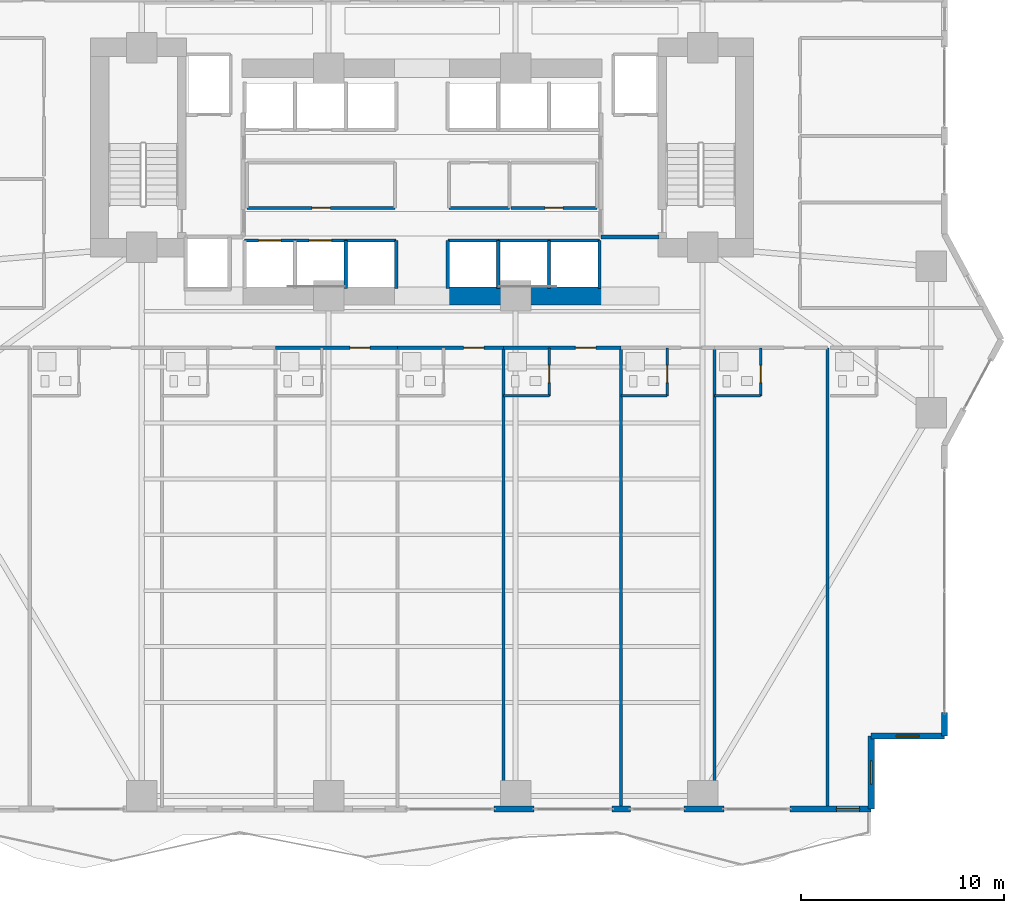
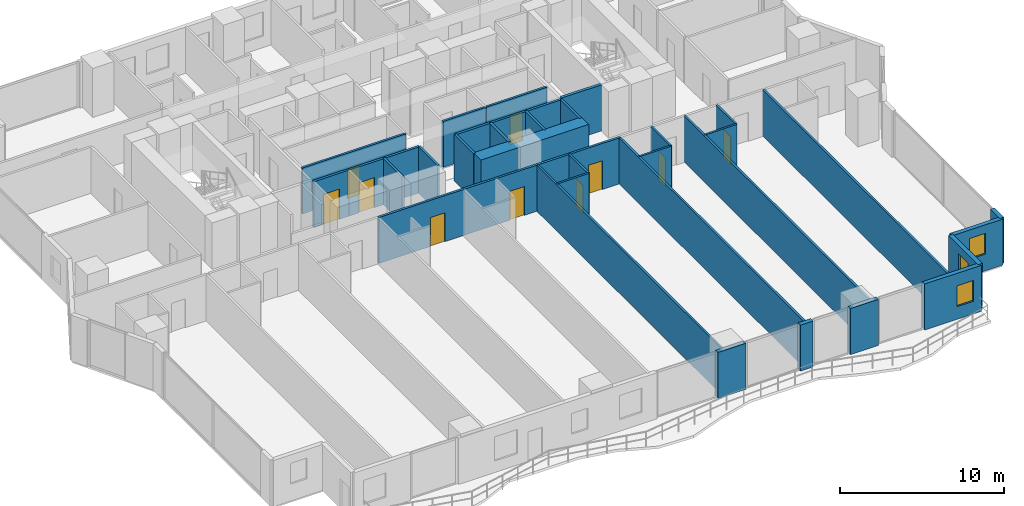
# One storey, part 19 of 28: 37 walls, 10 doors, 3 windows, 13 openings.
"""IFC4 building model written with IfcOpenShell, lengths in metres."""

import ifcopenshell
import ifcopenshell.guid

model = None  # the IFC model being written
_history = None  # IfcOwnerHistory: only IFC2X3 demands one
_inside = {}  # id of a spatial element -> (the spatial element, [elements in it])
_under = {}  # id of a project, library or spatial element -> (it, [spatial elements below it])
_declared = {}  # id of a project -> (the project, [libraries it declares])
_typed = {}  # id of a type object -> (the type object, [elements of that type])
_made_of = {}  # id of a material, layer set ... -> (it, [elements and type objects made of it])


def new_model(schema):
    """Start an empty IFC model of exactly this schema.

    Asked for "IFC4X3", IfcOpenShell would pick the latest addendum, in which some entities
    have other attributes; the version numbers below select the first issue.
    IFC2X3 requires an IfcOwnerHistory on every rooted entity: one is made here for all.
    """
    global model, _history
    if schema == "IFC4X3":
        model = ifcopenshell.file(schema_version=(4, 3, 0, 0))
    else:
        model = ifcopenshell.file(schema=schema)
    _inside.clear()
    _under.clear()
    _declared.clear()
    _typed.clear()
    _made_of.clear()
    _history = None
    if model.schema == "IFC2X3":
        org = make("IfcOrganization", Name="unknown")
        user = make(
            "IfcPersonAndOrganization",
            ThePerson=make("IfcPerson", FamilyName="unknown"),
            TheOrganization=org,
        )
        app = make(
            "IfcApplication",
            ApplicationDeveloper=org,
            Version="unknown",
            ApplicationFullName="unknown",
            ApplicationIdentifier="unknown",
        )
        _history = make(
            "IfcOwnerHistory",
            OwningUser=user,
            OwningApplication=app,
            ChangeAction="ADDED",
            CreationDate=0,
        )
    return model


def make(cls, **values):
    """One entity of the class cls with the attributes given. An attribute that is None is left unset."""
    return model.create_entity(
        cls, **{name: value for name, value in values.items() if value is not None}
    )


def rooted(cls, **values):
    """An entity with a GlobalId (a new one), such as an element, a storey or a relation."""
    return make(cls, GlobalId=ifcopenshell.guid.new(), OwnerHistory=_history, **values)


def si_unit(unit_type, name, prefix=None):
    """IfcSIUnit, for example si_unit("LENGTHUNIT", "METRE", prefix="MILLI")."""
    return make("IfcSIUnit", UnitType=unit_type, Prefix=prefix, Name=name)


def assignment(units):
    """IfcUnitAssignment: the units of a project."""
    return None if units is None else make("IfcUnitAssignment", Units=units)


def point(xyz):
    """IfcCartesianPoint."""
    return None if xyz is None else make("IfcCartesianPoint", Coordinates=xyz)


def direction(xyz):
    """IfcDirection."""
    return None if xyz is None else make("IfcDirection", DirectionRatios=xyz)


def frame(location, z_axis=None, x_axis=None):
    """IfcAxis2Placement3D, a coordinate frame: its origin and axes. An axis left out is left unset."""
    return make(
        "IfcAxis2Placement3D",
        Location=point(location),
        Axis=direction(z_axis),
        RefDirection=direction(x_axis),
    )


def frame_2d(location, x_axis=None):
    """IfcAxis2Placement2D, a coordinate frame in the plane: its origin and x axis."""
    return make(
        "IfcAxis2Placement2D", Location=point(location), RefDirection=direction(x_axis)
    )


def origin():
    """The frame at (0, 0, 0) with its axes left unset."""
    return frame((0.0, 0.0, 0.0))


def place(relative_to, where):
    """IfcLocalPlacement: puts the frame where relative to a parent placement (None: the world)."""
    return make(
        "IfcLocalPlacement", PlacementRelTo=relative_to, RelativePlacement=where
    )


def context(
    kind, dimensions, precision=None, world=None, true_north=None, identifier=None
):
    """IfcGeometricRepresentationContext, for example the 3D "Model" context."""
    return make(
        "IfcGeometricRepresentationContext",
        ContextIdentifier=identifier,
        ContextType=kind,
        CoordinateSpaceDimension=dimensions,
        Precision=precision,
        WorldCoordinateSystem=world,
        TrueNorth=true_north,
    )


def subcontext(parent, identifier, kind, view, scale=None):
    """IfcGeometricRepresentationSubContext, for example "Body" below "Model"."""
    return make(
        "IfcGeometricRepresentationSubContext",
        ContextIdentifier=identifier,
        ContextType=kind,
        ParentContext=parent,
        TargetScale=scale,
        TargetView=view,
    )


def project(units=None, contexts=None):
    """IfcProject with its units and contexts."""
    return rooted(
        "IfcProject",
        Name="project",
        RepresentationContexts=contexts,
        UnitsInContext=assignment(units),
    )


def spatial(cls, under=None, at=None, **own):
    """A site, building, storey or space (cls), placed at a placement, below another one or the project."""
    s = rooted(cls, ObjectPlacement=at, **own)
    if under is not None:
        _under.setdefault(under.id(), (under, []))[1].append(s)
    return s


def profile(cls, at=None, kind="AREA", **sizes):
    """A parametric profile (cls). Its sizes go by their IFC names, for example OverallWidth=200.0."""
    return make(cls, ProfileType=kind, Position=at, **sizes)


def rectangle(**sizes):
    """IfcRectangleProfileDef."""
    return profile("IfcRectangleProfileDef", **sizes)


def extrude(swept, where, along, depth):
    """IfcExtrudedAreaSolid: the profile swept, set in the frame where, extruded along a direction by depth."""
    return make(
        "IfcExtrudedAreaSolid",
        SweptArea=swept,
        Position=where,
        ExtrudedDirection=direction(along),
        Depth=depth,
    )


def shape(context_of_items, identifier, shape_type, items):
    """IfcShapeRepresentation: the items that make up one representation, for example the "Body"."""
    return make(
        "IfcShapeRepresentation",
        ContextOfItems=context_of_items,
        RepresentationIdentifier=identifier,
        RepresentationType=shape_type,
        Items=items,
    )


def material(Name=None, Category=None):
    """IfcMaterial."""
    return make("IfcMaterial", Name=Name, Category=Category)


def layer(
    of_material, thickness, ventilated=None, Name=None, Category=None, Priority=None
):
    """IfcMaterialLayer: one layer of a wall or slab, of a material (None: an air gap)."""
    return make(
        "IfcMaterialLayer",
        Material=of_material,
        LayerThickness=thickness,
        IsVentilated=ventilated,
        Name=Name,
        Category=Category,
        Priority=Priority,
    )


def layer_set(layers, Name=None):
    """IfcMaterialLayerSet."""
    return make("IfcMaterialLayerSet", MaterialLayers=layers, LayerSetName=Name)


def made_of(thing, what):
    """Note that an element or type object is made of a material, layer set ...; save() writes the relation."""
    if what is not None:
        _made_of.setdefault(what.id(), (what, []))[1].append(thing)
    return thing


def type_object(cls, material=None, **own):
    """A type object (cls), such as IfcWallType, which elements share."""
    return made_of(rooted(cls, **own), material)


def element(
    cls,
    number,
    at=None,
    inside=None,
    cuts=None,
    type_object=None,
    material=None,
    context=None,
    identifier="Body",
    shape_type=None,
    held_by="IfcProductDefinitionShape",
    body=None,
    shapes=None,
    **own,
):
    """One element of the class cls, such as IfcWall. Its Tag is "e" and its number.

    at: its placement. inside: the storey or other place that contains it. cuts: it is an
    opening in that element (IfcRelVoidsElement). A single representation is given by context,
    identifier, shape_type and body (its items); several are given by shapes. held_by: the class
    of the entity that holds the representations. save() writes the other relations.
    """
    e = rooted(cls, Tag="e%d" % number, ObjectPlacement=at, **own)
    if body is not None:
        shapes = [shape(context, identifier, shape_type, body)]
    if shapes is not None:
        e.Representation = make(held_by, Representations=shapes)
    if inside is not None:
        _inside.setdefault(inside.id(), (inside, []))[1].append(e)
    if cuts is not None:
        rooted(
            "IfcRelVoidsElement", RelatingBuildingElement=cuts, RelatedOpeningElement=e
        )
    if type_object is not None:
        _typed.setdefault(type_object.id(), (type_object, []))[1].append(e)
    return made_of(e, material)


def fill(opening, filler):
    """IfcRelFillsElement: the door or window that sits in an opening."""
    return rooted(
        "IfcRelFillsElement",
        RelatingOpeningElement=opening,
        RelatedBuildingElement=filler,
    )


def aggregate(whole, parts):
    """IfcRelAggregates: a whole, such as a stair, and the parts it consists of."""
    return rooted("IfcRelAggregates", RelatingObject=whole, RelatedObjects=parts)


def save(model, path):
    """Write the relations noted so far, then the file.

    IfcRelAggregates (storeys below a building ...), IfcRelContainedInSpatialStructure (elements
    in a storey), IfcRelDefinesByType, IfcRelAssociatesMaterial and IfcRelDeclares: one each for
    every whole, place, type object, material and project.
    """
    for whole, parts in _under.values():
        aggregate(whole, parts)
    for where, things in _inside.values():
        rooted(
            "IfcRelContainedInSpatialStructure",
            RelatedElements=things,
            RelatingStructure=where,
        )
    for kind, things in _typed.values():
        rooted("IfcRelDefinesByType", RelatedObjects=things, RelatingType=kind)
    for what, things in _made_of.values():
        rooted("IfcRelAssociatesMaterial", RelatedObjects=things, RelatingMaterial=what)
    for by, libraries in _declared.values():
        rooted("IfcRelDeclares", RelatingContext=by, RelatedDefinitions=libraries)
    model.write(path)


model = new_model("IFC4")

# Units and contexts
model_context = context("Model", 3, precision=1e-05, world=origin(), true_north=direction((0.0, 1.0)))
body_context = subcontext(model_context, "Body", "Model", "MODEL_VIEW")
ifc_project = project(units=[si_unit("LENGTHUNIT", "METRE"), si_unit("AREAUNIT", "SQUARE_METRE"), si_unit("VOLUMEUNIT", "CUBIC_METRE"), si_unit("PLANEANGLEUNIT", "RADIAN"), si_unit("MASSUNIT", "GRAM", prefix="KILO")], contexts=[model_context])

# Site, building, storey
site_placement = place(None, origin())
site = spatial("IfcSite", under=ifc_project, at=site_placement, CompositionType="ELEMENT")
building_placement = place(site_placement, origin())
building = spatial("IfcBuilding", under=site, at=building_placement, Name="Zuhayl Quay Hotel", CompositionType="ELEMENT")
storey_placement = place(building_placement, frame((0.0, 0.0, 31.25)))
storey = spatial("IfcBuildingStorey", under=building, at=storey_placement, Name="L06", CompositionType="ELEMENT", Elevation=31.25)

# Walls
ifc_material_1 = material(Name="Concrete C70/85", Category="concrete")
ifc_layer_1 = layer(ifc_material_1, 0.89990234375, Name="Concrete C70/85", Category="concrete")
ifc_layer_set_1 = layer_set([ifc_layer_1], Name="Concrete C70/85")
wall_type_1 = type_object("IfcWallType", Name="WL_CORE_900", PredefinedType="SHEAR", material=ifc_layer_set_1)
wall_1_placement = place(storey_placement, frame((1.25, 2.14990234375, 0.0), z_axis=(0.0, 0.0, 1.0), x_axis=(1.0, 0.0, 0.0)))
element("IfcWall", 1, at=wall_1_placement, inside=storey, type_object=wall_type_1, Name="L06 Core Shear Wall CW_SC_E", PredefinedType="SHEAR", context=body_context, shape_type="SweptSolid", body=[
    extrude(rectangle(XDim=7.60009765625, YDim=0.89990234375, at=frame_2d((3.800048828125, 0.0))), origin(), (0.0, 0.0, 1.0), 3.429931640625),
])
ifc_material_2 = material(Name="Precast concrete C45/55", Category="concrete")
ifc_layer_2 = layer(ifc_material_2, 0.300048828125, Name="Precast concrete C45/55", Category="concrete")
ifc_layer_set_2 = layer_set([ifc_layer_2], Name="Precast concrete C45/55")
wall_type_2 = type_object("IfcWallType", Name="WL_EXT_300", PredefinedType="STANDARD", material=ifc_layer_set_2)
wall_2_placement = place(storey_placement, frame((25.699951171875, -18.35009765625, 0.0), z_axis=(0.0, 0.0, 1.0), x_axis=(0.0, -1.0, 0.0)))
element("IfcWall", 2, at=wall_2_placement, inside=storey, type_object=wall_type_2, Name="L06 Exterior Precast Wall ENV_L06_E14_EW2", PredefinedType="STANDARD", context=body_context, shape_type="SweptSolid", body=[
    extrude(rectangle(XDim=1.14990234375, YDim=0.300048828125, at=frame_2d((0.574951171875, 0.0))), origin(), (0.0, 0.0, 1.0), 3.429931640625),
])

# Wall, opening, window
wall_3_placement = place(storey_placement, frame((25.699951171875, -19.5, 0.0), z_axis=(0.0, 0.0, 1.0), x_axis=(-1.0, 0.0, 0.0)))
wall_3 = element("IfcWall", 3, at=wall_3_placement, inside=storey, type_object=wall_type_2, Name="L06 Exterior Precast Wall ENV_L06_EW15", PredefinedType="STANDARD", context=body_context, shape_type="SweptSolid", body=[
    extrude(rectangle(XDim=3.599853515625, YDim=0.300048828125, at=frame_2d((1.7998046875, 0.0))), origin(), (0.0, 0.0, 1.0), 3.429931640625),
])
opening_1_placement = place(wall_3_placement, frame((1.22509765625, 0.0, 1.25)))
opening_1 = element("IfcOpeningElement", 4, at=opening_1_placement, cuts=wall_3, Name="Opening W01N", PredefinedType="OPENING", context=body_context, shape_type="SweptSolid", body=[
    extrude(rectangle(XDim=1.14990234375, YDim=1.550048828125, at=frame_2d((0.574951171875, 0.77490234375))), frame((0.0, 0.159912109375, 0.0), z_axis=(0.0, -1.0, 0.0), x_axis=(1.0, 0.0, 0.0)), (0.0, 0.0, 1.0), 0.320068359375),
])
ifc_material_3 = material(Name="Dark Ceramic-Fritted Solar Glass", Category="glass")
window_type = type_object("IfcWindowType", Name="WN_NOTCH_1350", PartitioningType="SINGLE_PANEL", PredefinedType="WINDOW", material=ifc_material_3)
window_1_placement = place(opening_1_placement, origin())
window_1 = element("IfcWindow", 5, at=window_1_placement, inside=storey, type_object=window_type, Name="L06 Corner Notch Window 15", OverallHeight=1.550048828125, OverallWidth=1.14990234375, PartitioningType="SINGLE_PANEL", PredefinedType="WINDOW", context=body_context, shape_type="SweptSolid", body=[
    extrude(rectangle(XDim=1.14990234375, YDim=1.550048828125, at=frame_2d((0.574951171875, 0.77490234375))), frame((0.0, 0.030029296875, 0.0), z_axis=(0.0, -1.0, 0.0), x_axis=(1.0, 0.0, 0.0)), (0.0, 0.0, 1.0), 0.06005859375),
])
fill(opening_1, window_1)

wall_4_placement = place(storey_placement, frame((22.10009765625, -19.5, 0.0), z_axis=(0.0, 0.0, 1.0), x_axis=(0.0, -1.0, 0.0)))
wall_4 = element("IfcWall", 6, at=wall_4_placement, inside=storey, type_object=wall_type_2, Name="L06 Exterior Precast Wall ENV_L06_EW16", PredefinedType="STANDARD", context=body_context, shape_type="SweptSolid", body=[
    extrude(rectangle(XDim=3.60009765625, YDim=0.300048828125, at=frame_2d((1.800048828125, 0.0))), origin(), (0.0, 0.0, 1.0), 3.429931640625),
])
opening_2_placement = place(wall_4_placement, frame((1.22509765625, 0.0, 1.25)))
opening_2 = element("IfcOpeningElement", 7, at=opening_2_placement, cuts=wall_4, Name="Opening W01N", PredefinedType="OPENING", context=body_context, shape_type="SweptSolid", body=[
    extrude(rectangle(XDim=1.14990234375, YDim=1.550048828125, at=frame_2d((0.574951171875, 0.77490234375))), frame((0.0, 0.159912109375, 0.0), z_axis=(0.0, -1.0, 0.0), x_axis=(1.0, 0.0, 0.0)), (0.0, 0.0, 1.0), 0.320068359375),
])
window_2_placement = place(opening_2_placement, origin())
window_2 = element("IfcWindow", 8, at=window_2_placement, inside=storey, type_object=window_type, Name="L06 Corner Notch Window 16", OverallHeight=1.550048828125, OverallWidth=1.14990234375, PartitioningType="SINGLE_PANEL", PredefinedType="WINDOW", context=body_context, shape_type="SweptSolid", body=[
    extrude(rectangle(XDim=1.14990234375, YDim=1.550048828125, at=frame_2d((0.574951171875, 0.77490234375))), frame((0.0, 0.030029296875, 0.0), z_axis=(0.0, -1.0, 0.0), x_axis=(1.0, 0.0, 0.0)), (0.0, 0.0, 1.0), 0.06005859375),
])
fill(opening_2, window_2)

wall_5_placement = place(storey_placement, frame((22.10009765625, -23.10009765625, 0.0), z_axis=(0.0, 0.0, 1.0), x_axis=(-1.0, 0.0, 0.0)))
wall_5 = element("IfcWall", 9, at=wall_5_placement, inside=storey, type_object=wall_type_2, Name="L06 Exterior Precast Wall ENV_L06_S_EW1", PredefinedType="STANDARD", context=body_context, shape_type="SweptSolid", body=[
    extrude(rectangle(XDim=4.0, YDim=0.300048828125, at=frame_2d((2.0, 0.0))), origin(), (0.0, 0.0, 1.0), 3.429931640625),
])
opening_3_placement = place(wall_5_placement, frame((0.56494140625, 0.0, 0.949951171875)))
opening_3 = element("IfcOpeningElement", 10, at=opening_3_placement, cuts=wall_5, Name="Opening W01N", PredefinedType="OPENING", context=body_context, shape_type="SweptSolid", body=[
    extrude(rectangle(XDim=1.14990234375, YDim=1.550048828125, at=frame_2d((0.574951171875, 0.77490234375))), frame((0.0, 0.159912109375, 0.0), z_axis=(0.0, -1.0, 0.0), x_axis=(1.0, 0.0, 0.0)), (0.0, 0.0, 1.0), 0.320068359375),
])
window_3_placement = place(opening_3_placement, origin())
window_3 = element("IfcWindow", 11, at=window_3_placement, inside=storey, type_object=window_type, Name="L06 Operable Facade Window 1-1", OverallHeight=1.550048828125, OverallWidth=1.14990234375, PartitioningType="SINGLE_PANEL", PredefinedType="WINDOW", context=body_context, shape_type="SweptSolid", body=[
    extrude(rectangle(XDim=1.14990234375, YDim=1.550048828125, at=frame_2d((0.574951171875, 0.77490234375))), frame((0.0, 0.030029296875, 0.0), z_axis=(0.0, -1.0, 0.0), x_axis=(1.0, 0.0, 0.0)), (0.0, 0.0, 1.0), 0.06005859375),
])
fill(opening_3, window_3)

# Walls
wall_6_placement = place(storey_placement, frame((14.85009765625, -23.10009765625, 0.0), z_axis=(0.0, 0.0, 1.0), x_axis=(-1.0, 0.0, 0.0)))
element("IfcWall", 12, at=wall_6_placement, inside=storey, type_object=wall_type_2, Name="L06 Exterior Precast Wall ENV_L06_S_EW2", PredefinedType="STANDARD", context=body_context, shape_type="SweptSolid", body=[
    extrude(rectangle(XDim=1.97021484375, YDim=0.300048828125, at=frame_2d((0.985107421875, 0.0))), origin(), (0.0, 0.0, 1.0), 3.429931640625),
])
wall_7_placement = place(storey_placement, frame((10.25, -23.10009765625, 0.0), z_axis=(0.0, 0.0, 1.0), x_axis=(-1.0, 0.0, 0.0)))
element("IfcWall", 13, at=wall_7_placement, inside=storey, type_object=wall_type_2, Name="L06 Exterior Precast Wall ENV_L06_S_EW3", PredefinedType="STANDARD", context=body_context, shape_type="SweptSolid", body=[
    extrude(rectangle(XDim=0.89990234375, YDim=0.300048828125, at=frame_2d((0.449951171875, 0.0))), origin(), (0.0, 0.0, 1.0), 3.429931640625),
])
wall_8_placement = place(storey_placement, frame((5.52001953125, -23.10009765625, 0.0), z_axis=(0.0, 0.0, 1.0), x_axis=(-1.0, 0.0, 0.0)))
element("IfcWall", 14, at=wall_8_placement, inside=storey, type_object=wall_type_2, Name="L06 Exterior Precast Wall ENV_L06_S_EW4", PredefinedType="STANDARD", context=body_context, shape_type="SweptSolid", body=[
    extrude(rectangle(XDim=1.969970703125, YDim=0.300048828125, at=frame_2d((0.98486328125, 0.0))), origin(), (0.0, 0.0, 1.0), 3.429931640625),
])

# Wall, opening, door
ifc_material_4 = material(Name="Acoustic Gypsum Partition STC-58")
ifc_layer_3 = layer(ifc_material_4, 0.14990234375, Name="Acoustic Gypsum Partition STC-58")
ifc_layer_set_3 = layer_set([ifc_layer_3], Name="Acoustic Gypsum Partition STC-58")
wall_type_3 = type_object("IfcWallType", Name="WL_PART_150", PredefinedType="PARTITIONING", material=ifc_layer_set_3)
wall_9_placement = place(storey_placement, frame((-8.610107421875, 6.47998046875, 0.0), z_axis=(0.0, 0.0, 1.0), x_axis=(1.0, 0.0, 0.0)))
wall_9 = element("IfcWall", 15, at=wall_9_placement, inside=storey, type_object=wall_type_3, Name="L06 Partition IW_L06_CORE_EL_S", PredefinedType="PARTITIONING", context=body_context, shape_type="SweptSolid", body=[
    extrude(rectangle(XDim=7.2900390625, YDim=0.14990234375, at=frame_2d((3.64501953125, 0.0))), origin(), (0.0, 0.0, 1.0), 3.429931640625),
])
opening_4_placement = place(wall_9_placement, frame((3.195068359375, 0.0, 0.0)))
opening_4 = element("IfcOpeningElement", 16, at=opening_4_placement, cuts=wall_9, Name="Opening D06", PredefinedType="OPENING", context=body_context, shape_type="SweptSolid", body=[
    extrude(rectangle(XDim=0.89990234375, YDim=2.14990234375, at=frame_2d((0.449951171875, 1.074951171875))), frame((0.0, 0.0849609375, 0.0), z_axis=(0.0, -1.0, 0.0), x_axis=(1.0, 0.0, 0.0)), (0.0, 0.0, 1.0), 0.169921875),
])
ifc_material_5 = material(Name="Steel ASTM A992 Grade 50", Category="steel")
door_type_1 = type_object("IfcDoorType", Name="DR_INT_900", OperationType="NOTDEFINED", PredefinedType="DOOR", material=ifc_material_5)
door_1_placement = place(opening_4_placement, origin())
door_1 = element("IfcDoor", 17, at=door_1_placement, inside=storey, type_object=door_type_1, Name="L06 Floor Electrical Plant Room Door", OperationType="SINGLE_SWING_RIGHT", OverallHeight=2.14990234375, OverallWidth=0.89990234375, PredefinedType="DOOR", context=body_context, shape_type="SweptSolid", body=[
    extrude(rectangle(XDim=0.89990234375, YDim=2.14990234375, at=frame_2d((0.449951171875, 1.074951171875))), frame((0.0, 0.02490234375, 0.0), z_axis=(0.0, -1.0, 0.0), x_axis=(1.0, 0.0, 0.0)), (0.0, 0.0, 1.0), 0.050048828125),
])
fill(opening_4, door_1)

wall_10_placement = place(storey_placement, frame((4.3701171875, 6.47998046875, 0.0), z_axis=(0.0, 0.0, 1.0), x_axis=(1.0, 0.0, 0.0)))
wall_10 = element("IfcWall", 18, at=wall_10_placement, inside=storey, type_object=wall_type_3, Name="L06 Partition IW_L06_CORE_LN_S", PredefinedType="PARTITIONING", context=body_context, shape_type="SweptSolid", body=[
    extrude(rectangle(XDim=4.239990234375, YDim=0.14990234375, at=frame_2d((2.1201171875, 0.0))), origin(), (0.0, 0.0, 1.0), 3.429931640625),
])
opening_5_placement = place(wall_10_placement, frame((1.669921875, 0.0, 0.0)))
opening_5 = element("IfcOpeningElement", 19, at=opening_5_placement, cuts=wall_10, Name="Opening D06", PredefinedType="OPENING", context=body_context, shape_type="SweptSolid", body=[
    extrude(rectangle(XDim=0.89990234375, YDim=2.14990234375, at=frame_2d((0.449951171875, 1.074951171875))), frame((0.0, 0.0849609375, 0.0), z_axis=(0.0, -1.0, 0.0), x_axis=(1.0, 0.0, 0.0)), (0.0, 0.0, 1.0), 0.169921875),
])
door_2_placement = place(opening_5_placement, origin())
door_2 = element("IfcDoor", 20, at=door_2_placement, inside=storey, type_object=door_type_1, Name="L06 Core Linen Store Door", OperationType="SINGLE_SWING_RIGHT", OverallHeight=2.14990234375, OverallWidth=0.89990234375, PredefinedType="DOOR", context=body_context, shape_type="SweptSolid", body=[
    extrude(rectangle(XDim=0.89990234375, YDim=2.14990234375, at=frame_2d((0.449951171875, 1.074951171875))), frame((0.0, 0.02490234375, 0.0), z_axis=(0.0, -1.0, 0.0), x_axis=(1.0, 0.0, 0.0)), (0.0, 0.0, 1.0), 0.050048828125),
])
fill(opening_5, door_2)

# Walls
wall_11_placement = place(storey_placement, frame((1.320068359375, 6.47998046875, 0.0), z_axis=(0.0, 0.0, 1.0), x_axis=(1.0, 0.0, 0.0)))
element("IfcWall", 21, at=wall_11_placement, inside=storey, type_object=wall_type_3, Name="L06 Partition IW_L06_CORE_IT_S", PredefinedType="PARTITIONING", context=body_context, shape_type="SweptSolid", body=[
    extrude(rectangle(XDim=2.989990234375, YDim=0.14990234375, at=frame_2d((1.4951171875, 0.0))), origin(), (0.0, 0.0, 1.0), 3.429931640625),
])
for number, where, z_axis, x_axis, name in (
    (22, (4.0, -23.02001953125, 0.0), (0.0, 0.0, 1.0), (0.0, 1.0, 0.0), "L06 Partition IW_L06_SU04_E"),
    (23, (9.800048828125, -23.02001953125, 0.0), (0.0, 0.0, 1.0), (0.0, 1.0, 0.0), "L06 Partition IW_L06_SU05_E"),
    (24, (14.39990234375, -23.02001953125, 0.0), (0.0, 0.0, 1.0), (0.0, 1.0, 0.0), "L06 Partition IW_L06_SU06_E"),
    (25, (19.93994140625, -23.02001953125, 0.0), (0.0, 0.0, 1.0), (0.0, 1.0, 0.0), "L06 Partition IW_L06_SU07A_E"),
):
    element("IfcWall", number, at=place(storey_placement, frame(where, z_axis=z_axis, x_axis=x_axis)), inside=storey, type_object=wall_type_3, Name=name, PredefinedType="PARTITIONING", context=body_context, shape_type="SweptSolid", body=[
        extrude(rectangle(XDim=22.6201171875, YDim=0.14990234375, at=frame_2d((11.31005859375, 0.0))), origin(), (0.0, 0.0, 1.0), 3.429931640625),
    ])

# Wall, opening, door
ifc_layer_4 = layer(ifc_material_4, 0.159912109375, Name="Acoustic Gypsum Partition STC-58")
ifc_layer_set_4 = layer_set([ifc_layer_4], Name="Acoustic Gypsum Partition STC-58")
wall_type_4 = type_object("IfcWallType", Name="WL_PART_CORR_160", PredefinedType="PARTITIONING", material=ifc_layer_set_4)
wall_12_placement = place(storey_placement, frame((-7.199951171875, -0.39990234375, 0.0), z_axis=(0.0, 0.0, 1.0), x_axis=(1.0, 0.0, 0.0)))
wall_12 = element("IfcWall", 26, at=wall_12_placement, inside=storey, type_object=wall_type_4, Name="L06 Partition IW_L06_SU03_COR", PredefinedType="PARTITIONING", context=body_context, shape_type="SweptSolid", body=[
    extrude(rectangle(XDim=6.0, YDim=0.159912109375, at=frame_2d((3.0, 0.0))), origin(), (0.0, 0.0, 1.0), 3.429931640625),
])
opening_6_placement = place(wall_12_placement, frame((3.64990234375, 0.0, 0.0)))
opening_6 = element("IfcOpeningElement", 27, at=opening_6_placement, cuts=wall_12, Name="Opening D03L", PredefinedType="OPENING", context=body_context, shape_type="SweptSolid", body=[
    extrude(rectangle(XDim=1.0, YDim=2.14990234375, at=frame_2d((0.5, 1.074951171875))), frame((0.0, 0.08984375, 0.0), z_axis=(0.0, -1.0, 0.0), x_axis=(1.0, 0.0, 0.0)), (0.0, 0.0, 1.0), 0.179931640625),
])
ifc_material_6 = material(Name="Solid Walnut Acoustic Fire Door")
door_type_2 = type_object("IfcDoorType", Name="DR_SUITE_1000", OperationType="NOTDEFINED", PredefinedType="DOOR", material=ifc_material_6)
door_3_placement = place(opening_6_placement, origin())
door_3 = element("IfcDoor", 28, at=door_3_placement, inside=storey, type_object=door_type_2, Name="L06 Premier Twin Junior Suite L06-03 Entrance Door", OperationType="SINGLE_SWING_LEFT", OverallHeight=2.14990234375, OverallWidth=1.0, PredefinedType="DOOR", context=body_context, shape_type="SweptSolid", body=[
    extrude(rectangle(XDim=1.0, YDim=2.14990234375, at=frame_2d((0.5, 1.074951171875))), frame((0.0, 0.02490234375, 0.0), z_axis=(0.0, -1.0, 0.0), x_axis=(1.0, 0.0, 0.0)), (0.0, 0.0, 1.0), 0.050048828125),
])
fill(opening_6, door_3)

wall_13_placement = place(storey_placement, frame((-1.199951171875, -0.39990234375, 0.0), z_axis=(0.0, 0.0, 1.0), x_axis=(1.0, 0.0, 0.0)))
wall_13 = element("IfcWall", 29, at=wall_13_placement, inside=storey, type_object=wall_type_4, Name="L06 Partition IW_L06_SU04_COR", PredefinedType="PARTITIONING", context=body_context, shape_type="SweptSolid", body=[
    extrude(rectangle(XDim=5.199951171875, YDim=0.159912109375, at=frame_2d((2.60009765625, 0.0))), origin(), (0.0, 0.0, 1.0), 3.429931640625),
])
opening_7_placement = place(wall_13_placement, frame((3.25, 0.0, 0.0)))
opening_7 = element("IfcOpeningElement", 30, at=opening_7_placement, cuts=wall_13, Name="Opening D03L", PredefinedType="OPENING", context=body_context, shape_type="SweptSolid", body=[
    extrude(rectangle(XDim=1.0, YDim=2.14990234375, at=frame_2d((0.5, 1.074951171875))), frame((0.0, 0.08984375, 0.0), z_axis=(0.0, -1.0, 0.0), x_axis=(1.0, 0.0, 0.0)), (0.0, 0.0, 1.0), 0.179931640625),
])
door_4_placement = place(opening_7_placement, origin())
door_4 = element("IfcDoor", 31, at=door_4_placement, inside=storey, type_object=door_type_2, Name="L06 Premier Twin Junior Suite L06-04 Entrance Door", OperationType="SINGLE_SWING_LEFT", OverallHeight=2.14990234375, OverallWidth=1.0, PredefinedType="DOOR", context=body_context, shape_type="SweptSolid", body=[
    extrude(rectangle(XDim=1.0, YDim=2.14990234375, at=frame_2d((0.5, 1.074951171875))), frame((0.0, 0.02490234375, 0.0), z_axis=(0.0, -1.0, 0.0), x_axis=(1.0, 0.0, 0.0)), (0.0, 0.0, 1.0), 0.050048828125),
])
fill(opening_7, door_4)

wall_14_placement = place(storey_placement, frame((4.0, -0.39990234375, 0.0), z_axis=(0.0, 0.0, 1.0), x_axis=(1.0, 0.0, 0.0)))
wall_14 = element("IfcWall", 32, at=wall_14_placement, inside=storey, type_object=wall_type_4, Name="L06 Partition IW_L06_SU05_COR", PredefinedType="PARTITIONING", context=body_context, shape_type="SweptSolid", body=[
    extrude(rectangle(XDim=5.800048828125, YDim=0.159912109375, at=frame_2d((2.89990234375, 0.0))), origin(), (0.0, 0.0, 1.0), 3.429931640625),
])
opening_8_placement = place(wall_14_placement, frame((3.550048828125, 0.0, 0.0)))
opening_8 = element("IfcOpeningElement", 33, at=opening_8_placement, cuts=wall_14, Name="Opening D03L", PredefinedType="OPENING", context=body_context, shape_type="SweptSolid", body=[
    extrude(rectangle(XDim=1.0, YDim=2.14990234375, at=frame_2d((0.5, 1.074951171875))), frame((0.0, 0.08984375, 0.0), z_axis=(0.0, -1.0, 0.0), x_axis=(1.0, 0.0, 0.0)), (0.0, 0.0, 1.0), 0.179931640625),
])
door_5_placement = place(opening_8_placement, origin())
door_5 = element("IfcDoor", 34, at=door_5_placement, inside=storey, type_object=door_type_2, Name="L06 Premier Twin Junior Suite L06-05 Entrance Door", OperationType="SINGLE_SWING_LEFT", OverallHeight=2.14990234375, OverallWidth=1.0, PredefinedType="DOOR", context=body_context, shape_type="SweptSolid", body=[
    extrude(rectangle(XDim=1.0, YDim=2.14990234375, at=frame_2d((0.5, 1.074951171875))), frame((0.0, 0.02490234375, 0.0), z_axis=(0.0, -1.0, 0.0), x_axis=(1.0, 0.0, 0.0)), (0.0, 0.0, 1.0), 0.050048828125),
])
fill(opening_8, door_5)

ifc_material_7 = material(Name="Moisture-Resistant Sanitarychase Gypsum")
ifc_layer_5 = layer(ifc_material_7, 0.135009765625, Name="Moisture-Resistant Sanitarychase Gypsum")
ifc_layer_set_5 = layer_set([ifc_layer_5], Name="Moisture-Resistant Sanitarychase Gypsum")
wall_type_5 = type_object("IfcWallType", Name="WL_PART_PLUMB_150", PredefinedType="PLUMBINGWALL", material=ifc_layer_set_5)
wall_15_placement = place(storey_placement, frame((6.260009765625, -2.760009765625, 0.0), z_axis=(0.0, 0.0, 1.0), x_axis=(0.0, 1.0, 0.0)))
wall_15 = element("IfcWall", 35, at=wall_15_placement, inside=storey, type_object=wall_type_5, Name="L06 Partition IW_L06_SU05_BE", PredefinedType="PLUMBINGWALL", context=body_context, shape_type="SweptSolid", body=[
    extrude(rectangle(XDim=2.360107421875, YDim=0.135009765625, at=frame_2d((1.18017578125, 0.0))), origin(), (0.0, 0.0, 1.0), 3.429931640625),
])
opening_9_placement = place(wall_15_placement, frame((0.64990234375, 0.0, 0.0)))
opening_9 = element("IfcOpeningElement", 36, at=opening_9_placement, cuts=wall_15, Name="Opening D04", PredefinedType="OPENING", context=body_context, shape_type="SweptSolid", body=[
    extrude(rectangle(XDim=0.85009765625, YDim=2.10009765625, at=frame_2d((0.425048828125, 1.050048828125))), frame((0.0, 0.077392578125, 0.0), z_axis=(0.0, -1.0, 0.0), x_axis=(1.0, 0.0, 0.0)), (0.0, 0.0, 1.0), 0.155029296875),
])
ifc_material_8 = material(Name="Moisture-Resistant Walnut Veneer")
door_type_3 = type_object("IfcDoorType", Name="DR_BATH_850", OperationType="NOTDEFINED", PredefinedType="DOOR", material=ifc_material_8)
door_6_placement = place(opening_9_placement, origin())
door_6 = element("IfcDoor", 37, at=door_6_placement, inside=storey, type_object=door_type_3, Name="L06 Premier Twin Junior Suite L06-05 En-Suite Door", OperationType="SINGLE_SWING_RIGHT", OverallHeight=2.10009765625, OverallWidth=0.85009765625, PredefinedType="DOOR", context=body_context, shape_type="SweptSolid", body=[
    extrude(rectangle(XDim=0.85009765625, YDim=2.10009765625, at=frame_2d((0.425048828125, 1.050048828125))), frame((0.0, 0.02490234375, 0.0), z_axis=(0.0, -1.0, 0.0), x_axis=(1.0, 0.0, 0.0)), (0.0, 0.0, 1.0), 0.050048828125),
])
fill(opening_9, door_6)

wall_16_placement = place(storey_placement, frame((12.06005859375, -2.760009765625, 0.0), z_axis=(0.0, 0.0, 1.0), x_axis=(0.0, 1.0, 0.0)))
wall_16 = element("IfcWall", 38, at=wall_16_placement, inside=storey, type_object=wall_type_5, Name="L06 Partition IW_L06_SU06_BE", PredefinedType="PLUMBINGWALL", context=body_context, shape_type="SweptSolid", body=[
    extrude(rectangle(XDim=2.360107421875, YDim=0.135009765625, at=frame_2d((1.18017578125, 0.0))), origin(), (0.0, 0.0, 1.0), 3.429931640625),
])
opening_10_placement = place(wall_16_placement, frame((0.64990234375, 0.0, 0.0)))
opening_10 = element("IfcOpeningElement", 39, at=opening_10_placement, cuts=wall_16, Name="Opening D04", PredefinedType="OPENING", context=body_context, shape_type="SweptSolid", body=[
    extrude(rectangle(XDim=0.85009765625, YDim=2.10009765625, at=frame_2d((0.425048828125, 1.050048828125))), frame((0.0, 0.077392578125, 0.0), z_axis=(0.0, -1.0, 0.0), x_axis=(1.0, 0.0, 0.0)), (0.0, 0.0, 1.0), 0.155029296875),
])
door_7_placement = place(opening_10_placement, origin())
door_7 = element("IfcDoor", 40, at=door_7_placement, inside=storey, type_object=door_type_3, Name="L06 Premier Twin Junior Suite L06-06 En-Suite Door", OperationType="SINGLE_SWING_RIGHT", OverallHeight=2.10009765625, OverallWidth=0.85009765625, PredefinedType="DOOR", context=body_context, shape_type="SweptSolid", body=[
    extrude(rectangle(XDim=0.85009765625, YDim=2.10009765625, at=frame_2d((0.425048828125, 1.050048828125))), frame((0.0, 0.02490234375, 0.0), z_axis=(0.0, -1.0, 0.0), x_axis=(1.0, 0.0, 0.0)), (0.0, 0.0, 1.0), 0.050048828125),
])
fill(opening_10, door_7)

wall_17_placement = place(storey_placement, frame((16.659912109375, -2.760009765625, 0.0), z_axis=(0.0, 0.0, 1.0), x_axis=(0.0, 1.0, 0.0)))
wall_17 = element("IfcWall", 41, at=wall_17_placement, inside=storey, type_object=wall_type_5, Name="L06 Partition IW_L06_SU07A_BE", PredefinedType="PLUMBINGWALL", context=body_context, shape_type="SweptSolid", body=[
    extrude(rectangle(XDim=2.360107421875, YDim=0.135009765625, at=frame_2d((1.18017578125, 0.0))), origin(), (0.0, 0.0, 1.0), 3.429931640625),
])
opening_11_placement = place(wall_17_placement, frame((0.64990234375, 0.0, 0.0)))
opening_11 = element("IfcOpeningElement", 42, at=opening_11_placement, cuts=wall_17, Name="Opening D04", PredefinedType="OPENING", context=body_context, shape_type="SweptSolid", body=[
    extrude(rectangle(XDim=0.85009765625, YDim=2.10009765625, at=frame_2d((0.425048828125, 1.050048828125))), frame((0.0, 0.077392578125, 0.0), z_axis=(0.0, -1.0, 0.0), x_axis=(1.0, 0.0, 0.0)), (0.0, 0.0, 1.0), 0.155029296875),
])
door_8_placement = place(opening_11_placement, origin())
door_8 = element("IfcDoor", 43, at=door_8_placement, inside=storey, type_object=door_type_3, Name="L06 Premier Twin Junior Suite L06-07A En-Suite Door", OperationType="SINGLE_SWING_RIGHT", OverallHeight=2.10009765625, OverallWidth=0.85009765625, PredefinedType="DOOR", context=body_context, shape_type="SweptSolid", body=[
    extrude(rectangle(XDim=0.85009765625, YDim=2.10009765625, at=frame_2d((0.425048828125, 1.050048828125))), frame((0.0, 0.02490234375, 0.0), z_axis=(0.0, -1.0, 0.0), x_axis=(1.0, 0.0, 0.0)), (0.0, 0.0, 1.0), 0.050048828125),
])
fill(opening_11, door_8)

# Walls
for number, where, z_axis, x_axis, name in (
    (44, (4.0, -2.760009765625, 0.0), (0.0, 0.0, 1.0), (1.0, 0.0, 0.0), "L06 Partition IW_L06_SU05_BS"),
    (45, (9.800048828125, -2.760009765625, 0.0), (0.0, 0.0, 1.0), (1.0, 0.0, 0.0), "L06 Partition IW_L06_SU06_BS"),
    (46, (14.39990234375, -2.760009765625, 0.0), (0.0, 0.0, 1.0), (1.0, 0.0, 0.0), "L06 Partition IW_L06_SU07A_BS"),
):
    element("IfcWall", number, at=place(storey_placement, frame(where, z_axis=z_axis, x_axis=x_axis)), inside=storey, type_object=wall_type_5, Name=name, PredefinedType="PLUMBINGWALL", context=body_context, shape_type="SweptSolid", body=[
        extrude(rectangle(XDim=2.260009765625, YDim=0.135009765625, at=frame_2d((1.1298828125, 0.0))), origin(), (0.0, 0.0, 1.0), 3.429931640625),
    ])

# Wall, opening, door
ifc_material_9 = material(Name="Gypsum Fireboard Assembly EI-90")
ifc_layer_6 = layer(ifc_material_9, 0.1650390625, Name="Gypsum Fireboard Assembly EI-90")
ifc_layer_set_6 = layer_set([ifc_layer_6], Name="Gypsum Fireboard Assembly EI-90")
wall_type_6 = type_object("IfcWallType", Name="WL_PART_SHAFT_160", PredefinedType="PARTITIONING", material=ifc_layer_set_6)
wall_18_placement = place(storey_placement, frame((-8.72998046875, 4.8798828125, 0.0), z_axis=(0.0, 0.0, 1.0), x_axis=(1.0, 0.0, 0.0)))
wall_18 = element("IfcWall", 47, at=wall_18_placement, inside=storey, type_object=wall_type_6, Name="L06 Partition IW_L06_SH_LP1_F", PredefinedType="PARTITIONING", context=body_context, shape_type="SweptSolid", body=[
    extrude(rectangle(XDim=2.47998046875, YDim=0.1650390625, at=frame_2d((1.239990234375, 0.0))), origin(), (0.0, 0.0, 1.0), 3.429931640625),
])
opening_12_placement = place(wall_18_placement, frame((0.68994140625, 0.0, 0.0)))
opening_12 = element("IfcOpeningElement", 48, at=opening_12_placement, cuts=wall_18, Name="Opening LD1", PredefinedType="OPENING", context=body_context, shape_type="SweptSolid", body=[
    extrude(rectangle(XDim=1.10009765625, YDim=2.25, at=frame_2d((0.550048828125, 1.125))), frame((0.0, 0.092529296875, 0.0), z_axis=(0.0, -1.0, 0.0), x_axis=(1.0, 0.0, 0.0)), (0.0, 0.0, 1.0), 0.18505859375),
])
ifc_material_10 = material(Name="Brushed Stainless Steel", Category="steel")
door_type_4 = type_object("IfcDoorType", Name="DR_LIFT_PASS_1100", OperationType="SLIDING_TO_LEFT", PredefinedType="DOOR", material=ifc_material_10)
door_9_placement = place(opening_12_placement, origin())
door_9 = element("IfcDoor", 49, at=door_9_placement, inside=storey, type_object=door_type_4, Name="L06 Lift LP1 Sliding Landing Door", OperationType="SLIDING_TO_LEFT", OverallHeight=2.25, OverallWidth=1.10009765625, PredefinedType="DOOR", context=body_context, shape_type="SweptSolid", body=[
    extrude(rectangle(XDim=1.10009765625, YDim=2.25, at=frame_2d((0.550048828125, 1.125))), frame((0.0, 0.02490234375, 0.0), z_axis=(0.0, -1.0, 0.0), x_axis=(1.0, 0.0, 0.0)), (0.0, 0.0, 1.0), 0.050048828125),
])
fill(opening_12, door_9)

wall_19_placement = place(storey_placement, frame((-6.25, 4.8798828125, 0.0), z_axis=(0.0, 0.0, 1.0), x_axis=(1.0, 0.0, 0.0)))
wall_19 = element("IfcWall", 50, at=wall_19_placement, inside=storey, type_object=wall_type_6, Name="L06 Partition IW_L06_SH_LP2_F", PredefinedType="PARTITIONING", context=body_context, shape_type="SweptSolid", body=[
    extrude(rectangle(XDim=2.5, YDim=0.1650390625, at=frame_2d((1.25, 0.0))), origin(), (0.0, 0.0, 1.0), 3.429931640625),
])
opening_13_placement = place(wall_19_placement, frame((0.699951171875, 0.0, 0.0)))
opening_13 = element("IfcOpeningElement", 51, at=opening_13_placement, cuts=wall_19, Name="Opening LD1", PredefinedType="OPENING", context=body_context, shape_type="SweptSolid", body=[
    extrude(rectangle(XDim=1.10009765625, YDim=2.25, at=frame_2d((0.550048828125, 1.125))), frame((0.0, 0.092529296875, 0.0), z_axis=(0.0, -1.0, 0.0), x_axis=(1.0, 0.0, 0.0)), (0.0, 0.0, 1.0), 0.18505859375),
])
door_10_placement = place(opening_13_placement, origin())
door_10 = element("IfcDoor", 52, at=door_10_placement, inside=storey, type_object=door_type_4, Name="L06 Lift LP2 Sliding Landing Door", OperationType="SLIDING_TO_LEFT", OverallHeight=2.25, OverallWidth=1.10009765625, PredefinedType="DOOR", context=body_context, shape_type="SweptSolid", body=[
    extrude(rectangle(XDim=1.10009765625, YDim=2.25, at=frame_2d((0.550048828125, 1.125))), frame((0.0, 0.02490234375, 0.0), z_axis=(0.0, -1.0, 0.0), x_axis=(1.0, 0.0, 0.0)), (0.0, 0.0, 1.0), 0.050048828125),
])
fill(opening_13, door_10)

# Walls
wall_20_placement = place(storey_placement, frame((-3.75, 2.52001953125, 0.0), z_axis=(0.0, 0.0, 1.0), x_axis=(0.0, 1.0, 0.0)))
element("IfcWall", 53, at=wall_20_placement, inside=storey, type_object=wall_type_6, Name="L06 Partition IW_L06_SH_LP2_E", PredefinedType="PARTITIONING", context=body_context, shape_type="SweptSolid", body=[
    extrude(rectangle(XDim=2.35986328125, YDim=0.1650390625, at=frame_2d((1.179931640625, 0.0))), origin(), (0.0, 0.0, 1.0), 3.429931640625),
])
wall_21_placement = place(storey_placement, frame((-3.75, 4.8798828125, 0.0), z_axis=(0.0, 0.0, 1.0), x_axis=(1.0, 0.0, 0.0)))
element("IfcWall", 54, at=wall_21_placement, inside=storey, type_object=wall_type_6, Name="L06 Partition IW_L06_SH_MP1_F", PredefinedType="PARTITIONING", context=body_context, shape_type="SweptSolid", body=[
    extrude(rectangle(XDim=2.47998046875, YDim=0.1650390625, at=frame_2d((1.239990234375, 0.0))), origin(), (0.0, 0.0, 1.0), 3.429931640625),
])
wall_22_placement = place(storey_placement, frame((-1.27001953125, 2.52001953125, 0.0), z_axis=(0.0, 0.0, 1.0), x_axis=(0.0, 1.0, 0.0)))
element("IfcWall", 55, at=wall_22_placement, inside=storey, type_object=wall_type_6, Name="L06 Partition IW_L06_SH_MP1_E", PredefinedType="PARTITIONING", context=body_context, shape_type="SweptSolid", body=[
    extrude(rectangle(XDim=2.35986328125, YDim=0.1650390625, at=frame_2d((1.179931640625, 0.0))), origin(), (0.0, 0.0, 1.0), 3.429931640625),
])
wall_23_placement = place(storey_placement, frame((1.27001953125, 4.8798828125, 0.0), z_axis=(0.0, 0.0, 1.0), x_axis=(1.0, 0.0, 0.0)))
element("IfcWall", 56, at=wall_23_placement, inside=storey, type_object=wall_type_6, Name="L06 Partition IW_L06_SH_MP2_F", PredefinedType="PARTITIONING", context=body_context, shape_type="SweptSolid", body=[
    extrude(rectangle(XDim=2.47998046875, YDim=0.1650390625, at=frame_2d((1.239990234375, 0.0))), origin(), (0.0, 0.0, 1.0), 3.429931640625),
])
for number, where, z_axis, x_axis, name in (
    (57, (1.27001953125, 2.52001953125, 0.0), (0.0, 0.0, 1.0), (0.0, 1.0, 0.0), "L06 Partition IW_L06_SH_MP2_W"),
    (58, (3.75, 2.52001953125, 0.0), (0.0, 0.0, 1.0), (0.0, 1.0, 0.0), "L06 Partition IW_L06_SH_MP2_E"),
):
    element("IfcWall", number, at=place(storey_placement, frame(where, z_axis=z_axis, x_axis=x_axis)), inside=storey, type_object=wall_type_6, Name=name, PredefinedType="PARTITIONING", context=body_context, shape_type="SweptSolid", body=[
        extrude(rectangle(XDim=2.35986328125, YDim=0.1650390625, at=frame_2d((1.179931640625, 0.0))), origin(), (0.0, 0.0, 1.0), 3.429931640625),
    ])
wall_24_placement = place(storey_placement, frame((3.75, 4.8798828125, 0.0), z_axis=(0.0, 0.0, 1.0), x_axis=(1.0, 0.0, 0.0)))
element("IfcWall", 59, at=wall_24_placement, inside=storey, type_object=wall_type_6, Name="L06 Partition IW_L06_SH_HP1_F", PredefinedType="PARTITIONING", context=body_context, shape_type="SweptSolid", body=[
    extrude(rectangle(XDim=2.5, YDim=0.1650390625, at=frame_2d((1.25, 0.0))), origin(), (0.0, 0.0, 1.0), 3.429931640625),
])
wall_25_placement = place(storey_placement, frame((6.25, 2.52001953125, 0.0), z_axis=(0.0, 0.0, 1.0), x_axis=(0.0, 1.0, 0.0)))
element("IfcWall", 60, at=wall_25_placement, inside=storey, type_object=wall_type_6, Name="L06 Partition IW_L06_SH_HP1_E", PredefinedType="PARTITIONING", context=body_context, shape_type="SweptSolid", body=[
    extrude(rectangle(XDim=2.35986328125, YDim=0.1650390625, at=frame_2d((1.179931640625, 0.0))), origin(), (0.0, 0.0, 1.0), 3.429931640625),
])
wall_26_placement = place(storey_placement, frame((6.25, 4.8798828125, 0.0), z_axis=(0.0, 0.0, 1.0), x_axis=(1.0, 0.0, 0.0)))
element("IfcWall", 61, at=wall_26_placement, inside=storey, type_object=wall_type_6, Name="L06 Partition IW_L06_SH_HP2_F", PredefinedType="PARTITIONING", context=body_context, shape_type="SweptSolid", body=[
    extrude(rectangle(XDim=2.47998046875, YDim=0.1650390625, at=frame_2d((1.239990234375, 0.0))), origin(), (0.0, 0.0, 1.0), 3.429931640625),
])
wall_27_placement = place(storey_placement, frame((8.72998046875, 2.52001953125, 0.0), z_axis=(0.0, 0.0, 1.0), x_axis=(0.0, 1.0, 0.0)))
element("IfcWall", 62, at=wall_27_placement, inside=storey, type_object=wall_type_6, Name="L06 Partition IW_L06_SH_HP2_E", PredefinedType="PARTITIONING", context=body_context, shape_type="SweptSolid", body=[
    extrude(rectangle(XDim=2.35986328125, YDim=0.1650390625, at=frame_2d((1.179931640625, 0.0))), origin(), (0.0, 0.0, 1.0), 3.429931640625),
])
ifc_material_11 = material(Name="Gypsum Fireboard Assembly EI-120")
ifc_layer_7 = layer(ifc_material_11, 0.199951171875, Name="Gypsum Fireboard Assembly EI-120")
ifc_layer_set_7 = layer_set([ifc_layer_7], Name="Gypsum Fireboard Assembly EI-120")
wall_type_7 = type_object("IfcWallType", Name="WL_PART_SHAFT_200", PredefinedType="PARTITIONING", material=ifc_layer_set_7)
wall_28_placement = place(storey_placement, frame((8.800048828125, 5.050048828125, 0.0), z_axis=(0.0, 0.0, 1.0), x_axis=(1.0, 0.0, 0.0)))
element("IfcWall", 63, at=wall_28_placement, inside=storey, type_object=wall_type_7, Name="L06 Partition IW_L06_FSAE_E_S", PredefinedType="PARTITIONING", context=body_context, shape_type="SweptSolid", body=[
    extrude(rectangle(XDim=2.849853515625, YDim=0.199951171875, at=frame_2d((1.4248046875, 0.0))), origin(), (0.0, 0.0, 1.0), 3.429931640625),
])

save(model, "model.ifc")
